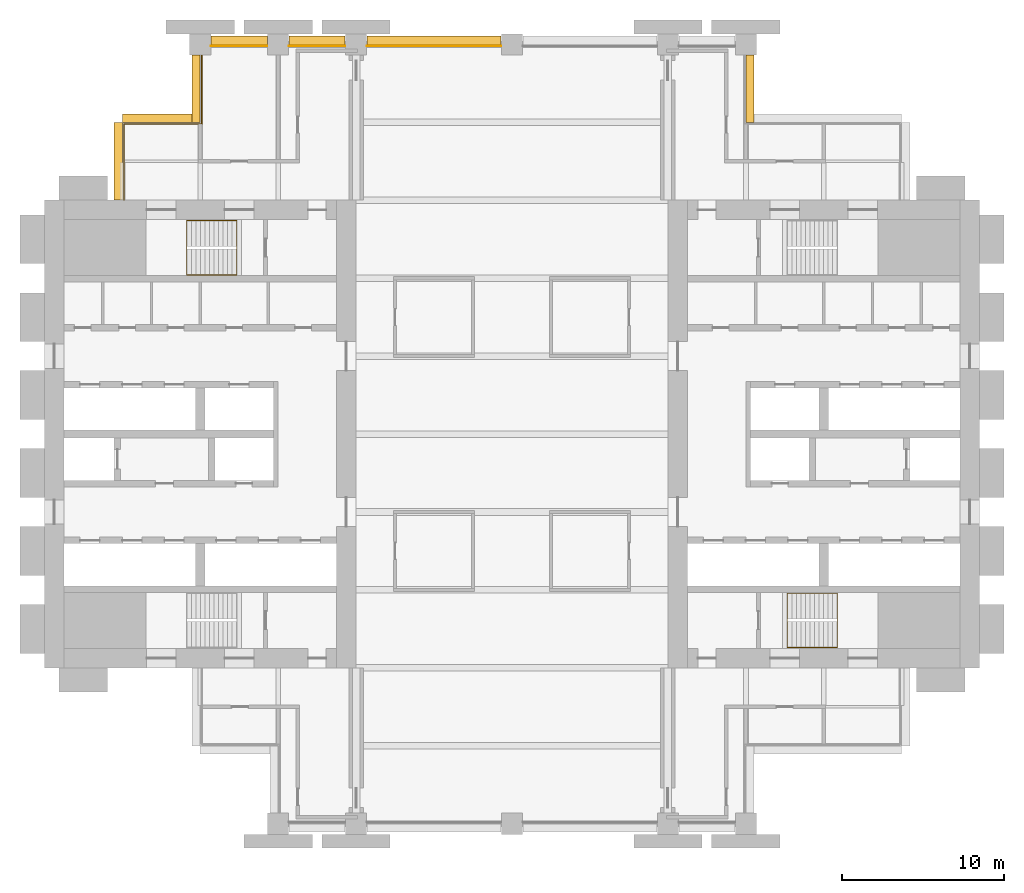
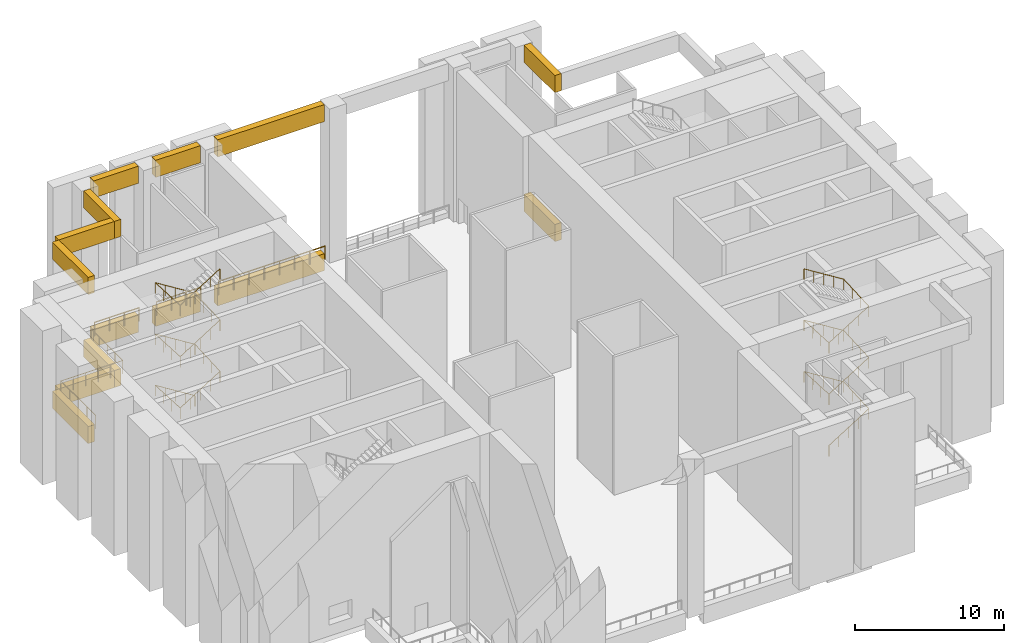
# One storey, part 9 of 10: 14 coverings, 6 railings.
"""IFC4 building model written with IfcOpenShell, lengths in metres."""

from ifc_helpers import new_model, si_unit, direction, frame, origin, origin_2d, place, context, subcontext, project, spatial, polyline, circle, outline, extrude, material, type_object, element, save


model = new_model("IFC4")

# Units and contexts
model_context = context("Model", 3, precision=1e-05, world=origin(), true_north=direction((0.0, 1.0)))
body_context = subcontext(model_context, "Body", "Model", "MODEL_VIEW")
ifc_project = project(units=[si_unit("LENGTHUNIT", "METRE"), si_unit("AREAUNIT", "SQUARE_METRE"), si_unit("VOLUMEUNIT", "CUBIC_METRE"), si_unit("PLANEANGLEUNIT", "RADIAN"), si_unit("MASSUNIT", "GRAM", prefix="KILO")], contexts=[model_context])

# Site, building, storey
site_placement = place(None, origin())
site = spatial("IfcSite", under=ifc_project, at=site_placement, CompositionType="ELEMENT")
building_placement = place(site_placement, origin())
building = spatial("IfcBuilding", under=site, at=building_placement, Name="Baori Bourse Tower", CompositionType="ELEMENT")
storey_placement = place(building_placement, frame((0.0, 0.0, 91.5)))
storey = spatial("IfcBuildingStorey", under=building, at=storey_placement, Name="L20", CompositionType="ELEMENT", Elevation=91.5)

# Railings
ifc_material_1 = material(Name="Powder-coated steel balustrade", Category="steel")
railing_type_1 = type_object("IfcRailingType", Name="Core stair handrail", PredefinedType="HANDRAIL", material=ifc_material_1)
railing_1_placement = place(storey_placement, frame((11.85009765625, 37.14990234375, 0.175048828125)))
element("IfcRailing", 1, at=railing_1_placement, inside=storey, type_object=railing_type_1, Name="L20 ST2 stair handrail 1", PredefinedType="HANDRAIL", context=body_context, shape_type="SweptSolid", body=[
    extrude(circle(Radius=0.02392578125, at=origin_2d()), frame((0.0, 0.0, 0.8759765625), z_axis=(-0.847998304005, 0.0, 0.529998940003), x_axis=(0.0, -1.0, 0.0)), (0.0, 0.0, 1.0), 3.632080078125),
    extrude(circle(Radius=0.02392578125, at=origin_2d()), frame((-3.080078125, 0.0, 2.80078125), z_axis=(0.0, -0.998641252765, 0.052111882296), x_axis=(1.0, 0.0, 0.0)), (0.0, 0.0, 1.0), 3.3544921875),
    extrude(circle(Radius=0.02392578125, at=origin_2d()), frame((-3.080078125, -3.349853515625, 2.9755859375), z_axis=(0.847998304005, 0.0, 0.529998940003), x_axis=(0.0, 1.0, 0.0)), (0.0, 0.0, 1.0), 3.632080078125),
    extrude(circle(Radius=0.02392578125, at=origin_2d()), frame((0.0, -3.349853515625, 4.90087890625), z_axis=(0.0, 0.99863746249, 0.052184466191), x_axis=(-1.0, 0.0, 0.0)), (0.0, 0.0, 1.0), 3.3544921875),
    extrude(circle(Radius=0.02392578125, at=origin_2d()), frame((0.0, 0.0, 5.07568359375), z_axis=(-0.847998304005, 0.0, 0.529998940003), x_axis=(0.0, -1.0, 0.0)), (0.0, 0.0, 1.0), 3.632080078125),
    extrude(circle(Radius=0.02392578125, at=origin_2d()), frame((-3.080078125, 0.0, 7.0009765625), z_axis=(0.0, -0.99863746249, 0.052184466191), x_axis=(1.0, 0.0, 0.0)), (0.0, 0.0, 1.0), 3.3544921875),
    extrude(circle(Radius=0.02392578125, at=origin_2d()), frame((-3.080078125, -3.349853515625, 7.17578125), z_axis=(0.848028513186, 0.0, 0.529950602248), x_axis=(0.0, 1.0, 0.0)), (0.0, 0.0, 1.0), 3.632080078125),
    extrude(circle(Radius=0.02392578125, at=origin_2d()), frame((0.0, -3.349853515625, 9.1005859375), z_axis=(0.0, 0.99863746249, 0.052184466191), x_axis=(-1.0, 0.0, 0.0)), (0.0, 0.0, 1.0), 3.3544921875),
    extrude(circle(Radius=0.02392578125, at=origin_2d()), frame((0.0, 0.0, 9.27587890625), z_axis=(-0.847998304005, 0.0, 0.529998940003), x_axis=(0.0, -1.0, 0.0)), (0.0, 0.0, 1.0), 3.632080078125),
    extrude(circle(Radius=0.02392578125, at=origin_2d()), frame((-3.080078125, 0.0, 11.20068359375), z_axis=(0.0, -0.99863746249, 0.052184466191), x_axis=(1.0, 0.0, 0.0)), (0.0, 0.0, 1.0), 3.3544921875),
    extrude(circle(Radius=0.02392578125, at=origin_2d()), frame((-3.080078125, -3.349853515625, 11.3759765625), z_axis=(0.847998304005, 0.0, 0.529998940003), x_axis=(0.0, 1.0, 0.0)), (0.0, 0.0, 1.0), 3.632080078125),
    extrude(circle(Radius=0.02099609375, at=origin_2d()), origin(), (0.0, 0.0, 1.0), 0.851806640625),
    extrude(circle(Radius=0.02099609375, at=origin_2d()), frame((-0.77001953125, 0.0, 0.481201171875)), (0.0, 0.0, 1.0), 0.851806640625),
    extrude(circle(Radius=0.02099609375, at=origin_2d()), frame((-1.5400390625, 0.0, 0.96240234375)), (0.0, 0.0, 1.0), 0.851806640625),
    extrude(circle(Radius=0.02099609375, at=origin_2d()), frame((-2.31005859375, 0.0, 1.44384765625)), (0.0, 0.0, 1.0), 0.851806640625),
    extrude(circle(Radius=0.02099609375, at=origin_2d()), frame((-3.080078125, 0.0, 1.925048828125)), (0.0, 0.0, 1.0), 0.851806640625),
    extrude(circle(Radius=0.02099609375, at=origin_2d()), frame((-3.080078125, -1.11669921875, 1.9833984375)), (0.0, 0.0, 1.0), 0.851806640625),
    extrude(circle(Radius=0.02099609375, at=origin_2d()), frame((-3.080078125, -2.233154296875, 2.04150390625)), (0.0, 0.0, 1.0), 0.851806640625),
    extrude(circle(Radius=0.02099609375, at=origin_2d()), frame((-3.080078125, -3.349853515625, 2.099853515625)), (0.0, 0.0, 1.0), 0.851806640625),
    extrude(circle(Radius=0.02099609375, at=origin_2d()), frame((-2.31005859375, -3.349853515625, 2.5810546875)), (0.0, 0.0, 1.0), 0.851806640625),
    extrude(circle(Radius=0.02099609375, at=origin_2d()), frame((-1.5400390625, -3.349853515625, 3.0625)), (0.0, 0.0, 1.0), 0.851806640625),
    extrude(circle(Radius=0.02099609375, at=origin_2d()), frame((-0.77001953125, -3.349853515625, 3.543701171875)), (0.0, 0.0, 1.0), 0.851806640625),
    extrude(circle(Radius=0.02099609375, at=origin_2d()), frame((0.0, -3.349853515625, 4.02490234375)), (0.0, 0.0, 1.0), 0.851806640625),
    extrude(circle(Radius=0.02099609375, at=origin_2d()), frame((0.0, -2.233154296875, 4.083251953125)), (0.0, 0.0, 1.0), 0.851806640625),
    extrude(circle(Radius=0.02099609375, at=origin_2d()), frame((0.0, -1.11669921875, 4.1416015625)), (0.0, 0.0, 1.0), 0.851806640625),
    extrude(circle(Radius=0.02099609375, at=origin_2d()), frame((0.0, 0.0, 4.199951171875)), (0.0, 0.0, 1.0), 0.851806640625),
    extrude(circle(Radius=0.02099609375, at=origin_2d()), frame((-0.77001953125, 0.0, 4.68115234375)), (0.0, 0.0, 1.0), 0.851806640625),
    extrude(circle(Radius=0.02099609375, at=origin_2d()), frame((-1.5400390625, 0.0, 5.16259765625)), (0.0, 0.0, 1.0), 0.851806640625),
    extrude(circle(Radius=0.02099609375, at=origin_2d()), frame((-2.31005859375, 0.0, 5.643798828125)), (0.0, 0.0, 1.0), 0.851806640625),
    extrude(circle(Radius=0.02099609375, at=origin_2d()), frame((-3.080078125, 0.0, 6.125)), (0.0, 0.0, 1.0), 0.851806640625),
    extrude(circle(Radius=0.02099609375, at=origin_2d()), frame((-3.080078125, -1.11669921875, 6.183349609375)), (0.0, 0.0, 1.0), 0.851806640625),
    extrude(circle(Radius=0.02099609375, at=origin_2d()), frame((-3.080078125, -2.233154296875, 6.24169921875)), (0.0, 0.0, 1.0), 0.851806640625),
    extrude(circle(Radius=0.02099609375, at=origin_2d()), frame((-3.080078125, -3.349853515625, 6.300048828125)), (0.0, 0.0, 1.0), 0.851806640625),
    extrude(circle(Radius=0.02099609375, at=origin_2d()), frame((-2.31005859375, -3.349853515625, 6.78125)), (0.0, 0.0, 1.0), 0.851806640625),
    extrude(circle(Radius=0.02099609375, at=origin_2d()), frame((-1.5400390625, -3.349853515625, 7.262451171875)), (0.0, 0.0, 1.0), 0.851806640625),
    extrude(circle(Radius=0.02099609375, at=origin_2d()), frame((-0.77001953125, -3.349853515625, 7.74365234375)), (0.0, 0.0, 1.0), 0.851806640625),
    extrude(circle(Radius=0.02099609375, at=origin_2d()), frame((0.0, -3.349853515625, 8.224853515625)), (0.0, 0.0, 1.0), 0.851806640625),
    extrude(circle(Radius=0.02099609375, at=origin_2d()), frame((0.0, -2.233154296875, 8.283203125)), (0.0, 0.0, 1.0), 0.851806640625),
    extrude(circle(Radius=0.02099609375, at=origin_2d()), frame((0.0, -1.11669921875, 8.341552734375)), (0.0, 0.0, 1.0), 0.851806640625),
    extrude(circle(Radius=0.02099609375, at=origin_2d()), frame((0.0, 0.0, 8.39990234375)), (0.0, 0.0, 1.0), 0.851806640625),
    extrude(circle(Radius=0.02099609375, at=origin_2d()), frame((-0.77001953125, 0.0, 8.881103515625)), (0.0, 0.0, 1.0), 0.851806640625),
    extrude(circle(Radius=0.02099609375, at=origin_2d()), frame((-1.5400390625, 0.0, 9.3623046875)), (0.0, 0.0, 1.0), 0.851806640625),
    extrude(circle(Radius=0.02099609375, at=origin_2d()), frame((-2.31005859375, 0.0, 9.84375)), (0.0, 0.0, 1.0), 0.851806640625),
    extrude(circle(Radius=0.02099609375, at=origin_2d()), frame((-3.080078125, 0.0, 10.324951171875)), (0.0, 0.0, 1.0), 0.851806640625),
    extrude(circle(Radius=0.02099609375, at=origin_2d()), frame((-3.080078125, -1.11669921875, 10.38330078125)), (0.0, 0.0, 1.0), 0.851806640625),
    extrude(circle(Radius=0.02099609375, at=origin_2d()), frame((-3.080078125, -2.233154296875, 10.441650390625)), (0.0, 0.0, 1.0), 0.851806640625),
    extrude(circle(Radius=0.02099609375, at=origin_2d()), frame((-3.080078125, -3.349853515625, 10.5)), (0.0, 0.0, 1.0), 0.851806640625),
    extrude(circle(Radius=0.02099609375, at=origin_2d()), frame((-2.31005859375, -3.349853515625, 10.981201171875)), (0.0, 0.0, 1.0), 0.851806640625),
    extrude(circle(Radius=0.02099609375, at=origin_2d()), frame((-1.5400390625, -3.349853515625, 11.46240234375)), (0.0, 0.0, 1.0), 0.851806640625),
    extrude(circle(Radius=0.02099609375, at=origin_2d()), frame((-0.77001953125, -3.349853515625, 11.94384765625)), (0.0, 0.0, 1.0), 0.851806640625),
    extrude(circle(Radius=0.02099609375, at=origin_2d()), frame((0.0, -3.349853515625, 12.425048828125)), (0.0, 0.0, 1.0), 0.851806640625),
])
railing_2_placement = place(storey_placement, frame((45.75, 10.85009765625, 0.175048828125)))
element("IfcRailing", 2, at=railing_2_placement, inside=storey, type_object=railing_type_1, Name="L20 ST3 stair handrail 1", PredefinedType="HANDRAIL", context=body_context, shape_type="SweptSolid", body=[
    extrude(circle(Radius=0.02392578125, at=origin_2d()), frame((0.0, 0.0, 0.8759765625), z_axis=(0.847998304005, 0.0, 0.529998940003), x_axis=(0.0, 1.0, 0.0)), (0.0, 0.0, 1.0), 3.632080078125),
    extrude(circle(Radius=0.02392578125, at=origin_2d()), frame((3.080078125, 0.0, 2.80078125), z_axis=(0.0, 0.998641252765, 0.052111882296), x_axis=(-1.0, 0.0, 0.0)), (0.0, 0.0, 1.0), 3.3544921875),
    extrude(circle(Radius=0.02392578125, at=origin_2d()), frame((3.080078125, 3.349853515625, 2.9755859375), z_axis=(-0.847998304005, 0.0, 0.529998940003), x_axis=(0.0, -1.0, 0.0)), (0.0, 0.0, 1.0), 3.632080078125),
    extrude(circle(Radius=0.02392578125, at=origin_2d()), frame((0.0, 3.349853515625, 4.90087890625), z_axis=(0.0, -0.99863746249, 0.052184466191), x_axis=(1.0, 0.0, 0.0)), (0.0, 0.0, 1.0), 3.3544921875),
    extrude(circle(Radius=0.02392578125, at=origin_2d()), frame((0.0, 0.0, 5.07568359375), z_axis=(0.847998304005, 0.0, 0.529998940003), x_axis=(0.0, 1.0, 0.0)), (0.0, 0.0, 1.0), 3.632080078125),
    extrude(circle(Radius=0.02392578125, at=origin_2d()), frame((3.080078125, 0.0, 7.0009765625), z_axis=(0.0, 0.99863746249, 0.052184466191), x_axis=(-1.0, 0.0, 0.0)), (0.0, 0.0, 1.0), 3.3544921875),
    extrude(circle(Radius=0.02392578125, at=origin_2d()), frame((3.080078125, 3.349853515625, 7.17578125), z_axis=(-0.848028513186, 0.0, 0.529950602248), x_axis=(0.0, -1.0, 0.0)), (0.0, 0.0, 1.0), 3.632080078125),
    extrude(circle(Radius=0.02392578125, at=origin_2d()), frame((0.0, 3.349853515625, 9.1005859375), z_axis=(0.0, -0.99863746249, 0.052184466191), x_axis=(1.0, 0.0, 0.0)), (0.0, 0.0, 1.0), 3.3544921875),
    extrude(circle(Radius=0.02392578125, at=origin_2d()), frame((0.0, 0.0, 9.27587890625), z_axis=(0.847998304005, 0.0, 0.529998940003), x_axis=(0.0, 1.0, 0.0)), (0.0, 0.0, 1.0), 3.632080078125),
    extrude(circle(Radius=0.02392578125, at=origin_2d()), frame((3.080078125, 0.0, 11.20068359375), z_axis=(0.0, 0.99863746249, 0.052184466191), x_axis=(-1.0, 0.0, 0.0)), (0.0, 0.0, 1.0), 3.3544921875),
    extrude(circle(Radius=0.02392578125, at=origin_2d()), frame((3.080078125, 3.349853515625, 11.3759765625), z_axis=(-0.847998304005, 0.0, 0.529998940003), x_axis=(0.0, -1.0, 0.0)), (0.0, 0.0, 1.0), 3.632080078125),
    extrude(circle(Radius=0.02099609375, at=origin_2d()), origin(), (0.0, 0.0, 1.0), 0.851806640625),
    extrude(circle(Radius=0.02099609375, at=origin_2d()), frame((0.77001953125, 0.0, 0.481201171875)), (0.0, 0.0, 1.0), 0.851806640625),
    extrude(circle(Radius=0.02099609375, at=origin_2d()), frame((1.5400390625, 0.0, 0.96240234375)), (0.0, 0.0, 1.0), 0.851806640625),
    extrude(circle(Radius=0.02099609375, at=origin_2d()), frame((2.31005859375, 0.0, 1.44384765625)), (0.0, 0.0, 1.0), 0.851806640625),
    extrude(circle(Radius=0.02099609375, at=origin_2d()), frame((3.080078125, 0.0, 1.925048828125)), (0.0, 0.0, 1.0), 0.851806640625),
    extrude(circle(Radius=0.02099609375, at=origin_2d()), frame((3.080078125, 1.11669921875, 1.9833984375)), (0.0, 0.0, 1.0), 0.851806640625),
    extrude(circle(Radius=0.02099609375, at=origin_2d()), frame((3.080078125, 2.233154296875, 2.04150390625)), (0.0, 0.0, 1.0), 0.851806640625),
    extrude(circle(Radius=0.02099609375, at=origin_2d()), frame((3.080078125, 3.349853515625, 2.099853515625)), (0.0, 0.0, 1.0), 0.851806640625),
    extrude(circle(Radius=0.02099609375, at=origin_2d()), frame((2.31005859375, 3.349853515625, 2.5810546875)), (0.0, 0.0, 1.0), 0.851806640625),
    extrude(circle(Radius=0.02099609375, at=origin_2d()), frame((1.5400390625, 3.349853515625, 3.0625)), (0.0, 0.0, 1.0), 0.851806640625),
    extrude(circle(Radius=0.02099609375, at=origin_2d()), frame((0.77001953125, 3.349853515625, 3.543701171875)), (0.0, 0.0, 1.0), 0.851806640625),
    extrude(circle(Radius=0.02099609375, at=origin_2d()), frame((0.0, 3.349853515625, 4.02490234375)), (0.0, 0.0, 1.0), 0.851806640625),
    extrude(circle(Radius=0.02099609375, at=origin_2d()), frame((0.0, 2.233154296875, 4.083251953125)), (0.0, 0.0, 1.0), 0.851806640625),
    extrude(circle(Radius=0.02099609375, at=origin_2d()), frame((0.0, 1.11669921875, 4.1416015625)), (0.0, 0.0, 1.0), 0.851806640625),
    extrude(circle(Radius=0.02099609375, at=origin_2d()), frame((0.0, 0.0, 4.199951171875)), (0.0, 0.0, 1.0), 0.851806640625),
    extrude(circle(Radius=0.02099609375, at=origin_2d()), frame((0.77001953125, 0.0, 4.68115234375)), (0.0, 0.0, 1.0), 0.851806640625),
    extrude(circle(Radius=0.02099609375, at=origin_2d()), frame((1.5400390625, 0.0, 5.16259765625)), (0.0, 0.0, 1.0), 0.851806640625),
    extrude(circle(Radius=0.02099609375, at=origin_2d()), frame((2.31005859375, 0.0, 5.643798828125)), (0.0, 0.0, 1.0), 0.851806640625),
    extrude(circle(Radius=0.02099609375, at=origin_2d()), frame((3.080078125, 0.0, 6.125)), (0.0, 0.0, 1.0), 0.851806640625),
    extrude(circle(Radius=0.02099609375, at=origin_2d()), frame((3.080078125, 1.11669921875, 6.183349609375)), (0.0, 0.0, 1.0), 0.851806640625),
    extrude(circle(Radius=0.02099609375, at=origin_2d()), frame((3.080078125, 2.233154296875, 6.24169921875)), (0.0, 0.0, 1.0), 0.851806640625),
    extrude(circle(Radius=0.02099609375, at=origin_2d()), frame((3.080078125, 3.349853515625, 6.300048828125)), (0.0, 0.0, 1.0), 0.851806640625),
    extrude(circle(Radius=0.02099609375, at=origin_2d()), frame((2.31005859375, 3.349853515625, 6.78125)), (0.0, 0.0, 1.0), 0.851806640625),
    extrude(circle(Radius=0.02099609375, at=origin_2d()), frame((1.5400390625, 3.349853515625, 7.262451171875)), (0.0, 0.0, 1.0), 0.851806640625),
    extrude(circle(Radius=0.02099609375, at=origin_2d()), frame((0.77001953125, 3.349853515625, 7.74365234375)), (0.0, 0.0, 1.0), 0.851806640625),
    extrude(circle(Radius=0.02099609375, at=origin_2d()), frame((0.0, 3.349853515625, 8.224853515625)), (0.0, 0.0, 1.0), 0.851806640625),
    extrude(circle(Radius=0.02099609375, at=origin_2d()), frame((0.0, 2.233154296875, 8.283203125)), (0.0, 0.0, 1.0), 0.851806640625),
    extrude(circle(Radius=0.02099609375, at=origin_2d()), frame((0.0, 1.11669921875, 8.341552734375)), (0.0, 0.0, 1.0), 0.851806640625),
    extrude(circle(Radius=0.02099609375, at=origin_2d()), frame((0.0, 0.0, 8.39990234375)), (0.0, 0.0, 1.0), 0.851806640625),
    extrude(circle(Radius=0.02099609375, at=origin_2d()), frame((0.77001953125, 0.0, 8.881103515625)), (0.0, 0.0, 1.0), 0.851806640625),
    extrude(circle(Radius=0.02099609375, at=origin_2d()), frame((1.5400390625, 0.0, 9.3623046875)), (0.0, 0.0, 1.0), 0.851806640625),
    extrude(circle(Radius=0.02099609375, at=origin_2d()), frame((2.31005859375, 0.0, 9.84375)), (0.0, 0.0, 1.0), 0.851806640625),
    extrude(circle(Radius=0.02099609375, at=origin_2d()), frame((3.080078125, 0.0, 10.324951171875)), (0.0, 0.0, 1.0), 0.851806640625),
    extrude(circle(Radius=0.02099609375, at=origin_2d()), frame((3.080078125, 1.11669921875, 10.38330078125)), (0.0, 0.0, 1.0), 0.851806640625),
    extrude(circle(Radius=0.02099609375, at=origin_2d()), frame((3.080078125, 2.233154296875, 10.441650390625)), (0.0, 0.0, 1.0), 0.851806640625),
    extrude(circle(Radius=0.02099609375, at=origin_2d()), frame((3.080078125, 3.349853515625, 10.5)), (0.0, 0.0, 1.0), 0.851806640625),
    extrude(circle(Radius=0.02099609375, at=origin_2d()), frame((2.31005859375, 3.349853515625, 10.981201171875)), (0.0, 0.0, 1.0), 0.851806640625),
    extrude(circle(Radius=0.02099609375, at=origin_2d()), frame((1.5400390625, 3.349853515625, 11.46240234375)), (0.0, 0.0, 1.0), 0.851806640625),
    extrude(circle(Radius=0.02099609375, at=origin_2d()), frame((0.77001953125, 3.349853515625, 11.94384765625)), (0.0, 0.0, 1.0), 0.851806640625),
    extrude(circle(Radius=0.02099609375, at=origin_2d()), frame((0.0, 3.349853515625, 12.425048828125)), (0.0, 0.0, 1.0), 0.851806640625),
])

# Coverings
ifc_material_2 = material(Name="Pale anodised aluminium", Category="aluminium")
covering_type = type_object("IfcCoveringType", Name="ED2 Portal fascia band", PredefinedType="CLADDING", material=ifc_material_2)
covering_1_placement = place(storey_placement, frame((0.0, 0.0, -1.0)))
element("IfcCovering", 3, at=covering_1_placement, inside=storey, type_object=covering_type, Name="Portal fascia band deck L20 5", PredefinedType="CLADDING", context=body_context, shape_type="SweptSolid", body=[
    extrude(outline(polyline([(43.199951171875, 47.330078125), (43.199951171875, 43.199951171875), (43.699951171875, 43.199951171875), (43.699951171875, 47.330078125), (43.199951171875, 47.330078125)])), origin(), (0.0, 0.0, 1.0), 1.39990234375),
])
covering_2_placement = place(storey_placement, frame((0.0, 0.0, 11.199951171875)))
element("IfcCovering", 4, at=covering_2_placement, inside=storey, type_object=covering_type, Name="Portal fascia band head L20 6", PredefinedType="CLADDING", context=body_context, shape_type="SweptSolid", body=[
    extrude(outline(polyline([(43.199951171875, 47.330078125), (43.199951171875, 43.199951171875), (43.699951171875, 43.199951171875), (43.699951171875, 47.330078125), (43.199951171875, 47.330078125)])), origin(), (0.0, 0.0, 1.0), 1.400146484375),
])
covering_3_placement = place(storey_placement, frame((0.0, 0.0, -1.0)))
element("IfcCovering", 5, at=covering_3_placement, inside=storey, type_object=covering_type, Name="Portal fascia band deck L20 11", PredefinedType="CLADDING", context=body_context, shape_type="SweptSolid", body=[
    extrude(outline(polyline([(19.8701171875, 48.0), (28.1298828125, 48.0), (28.1298828125, 48.5), (19.8701171875, 48.5), (19.8701171875, 48.0)])), origin(), (0.0, 0.0, 1.0), 1.39990234375),
])
covering_4_placement = place(storey_placement, frame((0.0, 0.0, 11.199951171875)))
element("IfcCovering", 6, at=covering_4_placement, inside=storey, type_object=covering_type, Name="Portal fascia band head L20 12", PredefinedType="CLADDING", context=body_context, shape_type="SweptSolid", body=[
    extrude(outline(polyline([(19.8701171875, 48.0), (28.1298828125, 48.0), (28.1298828125, 48.5), (19.8701171875, 48.5), (19.8701171875, 48.0)])), origin(), (0.0, 0.0, 1.0), 1.400146484375),
])
covering_5_placement = place(storey_placement, frame((0.0, 0.0, -1.0)))
element("IfcCovering", 7, at=covering_5_placement, inside=storey, type_object=covering_type, Name="Portal fascia band deck L20 13", PredefinedType="CLADDING", context=body_context, shape_type="SweptSolid", body=[
    extrude(outline(polyline([(15.070068359375, 48.0), (18.530029296875, 48.0), (18.530029296875, 48.5), (15.070068359375, 48.5), (15.070068359375, 48.0)])), origin(), (0.0, 0.0, 1.0), 1.39990234375),
])
covering_6_placement = place(storey_placement, frame((0.0, 0.0, 11.199951171875)))
element("IfcCovering", 8, at=covering_6_placement, inside=storey, type_object=covering_type, Name="Portal fascia band head L20 14", PredefinedType="CLADDING", context=body_context, shape_type="SweptSolid", body=[
    extrude(outline(polyline([(15.070068359375, 48.0), (18.530029296875, 48.0), (18.530029296875, 48.5), (15.070068359375, 48.5), (15.070068359375, 48.0)])), origin(), (0.0, 0.0, 1.0), 1.400146484375),
])
covering_7_placement = place(storey_placement, frame((0.0, 0.0, -1.0)))
element("IfcCovering", 9, at=covering_7_placement, inside=storey, type_object=covering_type, Name="Portal fascia band deck L20 15", PredefinedType="CLADDING", context=body_context, shape_type="SweptSolid", body=[
    extrude(outline(polyline([(10.27001953125, 48.0), (13.72998046875, 48.0), (13.72998046875, 48.5), (10.27001953125, 48.5), (10.27001953125, 48.0)])), origin(), (0.0, 0.0, 1.0), 1.39990234375),
])
covering_8_placement = place(storey_placement, frame((0.0, 0.0, 11.199951171875)))
element("IfcCovering", 10, at=covering_8_placement, inside=storey, type_object=covering_type, Name="Portal fascia band head L20 16", PredefinedType="CLADDING", context=body_context, shape_type="SweptSolid", body=[
    extrude(outline(polyline([(10.27001953125, 48.0), (13.72998046875, 48.0), (13.72998046875, 48.5), (10.27001953125, 48.5), (10.27001953125, 48.0)])), origin(), (0.0, 0.0, 1.0), 1.400146484375),
])
covering_9_placement = place(storey_placement, frame((0.0, 0.0, -1.0)))
element("IfcCovering", 11, at=covering_9_placement, inside=storey, type_object=covering_type, Name="Portal fascia band deck L20 17", PredefinedType="CLADDING", context=body_context, shape_type="SweptSolid", body=[
    extrude(outline(polyline([(9.60009765625, 43.199951171875), (9.60009765625, 47.330078125), (9.10009765625, 47.330078125), (9.10009765625, 43.199951171875), (9.60009765625, 43.199951171875)])), origin(), (0.0, 0.0, 1.0), 1.39990234375),
])
covering_10_placement = place(storey_placement, frame((0.0, 0.0, 11.199951171875)))
element("IfcCovering", 12, at=covering_10_placement, inside=storey, type_object=covering_type, Name="Portal fascia band head L20 18", PredefinedType="CLADDING", context=body_context, shape_type="SweptSolid", body=[
    extrude(outline(polyline([(9.60009765625, 43.199951171875), (9.60009765625, 47.330078125), (9.10009765625, 47.330078125), (9.10009765625, 43.199951171875), (9.60009765625, 43.199951171875)])), origin(), (0.0, 0.0, 1.0), 1.400146484375),
])
covering_11_placement = place(storey_placement, frame((0.0, 0.0, -1.0)))
element("IfcCovering", 13, at=covering_11_placement, inside=storey, type_object=covering_type, Name="Portal fascia band deck L20 19", PredefinedType="CLADDING", context=body_context, shape_type="SweptSolid", body=[
    extrude(outline(polyline([(4.800048828125, 43.199951171875), (9.60009765625, 43.199951171875), (9.60009765625, 43.699951171875), (4.800048828125, 43.699951171875), (4.800048828125, 43.199951171875)])), origin(), (0.0, 0.0, 1.0), 1.39990234375),
])
covering_12_placement = place(storey_placement, frame((0.0, 0.0, 11.199951171875)))
element("IfcCovering", 14, at=covering_12_placement, inside=storey, type_object=covering_type, Name="Portal fascia band head L20 20", PredefinedType="CLADDING", context=body_context, shape_type="SweptSolid", body=[
    extrude(outline(polyline([(4.800048828125, 43.199951171875), (9.60009765625, 43.199951171875), (9.60009765625, 43.699951171875), (4.800048828125, 43.699951171875), (4.800048828125, 43.199951171875)])), origin(), (0.0, 0.0, 1.0), 1.400146484375),
])
covering_13_placement = place(storey_placement, frame((0.0, 0.0, -1.0)))
element("IfcCovering", 15, at=covering_13_placement, inside=storey, type_object=covering_type, Name="Portal fascia band deck L20 21", PredefinedType="CLADDING", context=body_context, shape_type="SweptSolid", body=[
    extrude(outline(polyline([(4.800048828125, 38.39990234375), (4.800048828125, 43.199951171875), (4.300048828125, 43.199951171875), (4.300048828125, 38.39990234375), (4.800048828125, 38.39990234375)])), origin(), (0.0, 0.0, 1.0), 1.39990234375),
])
covering_14_placement = place(storey_placement, frame((0.0, 0.0, 11.199951171875)))
element("IfcCovering", 16, at=covering_14_placement, inside=storey, type_object=covering_type, Name="Portal fascia band head L20 22", PredefinedType="CLADDING", context=body_context, shape_type="SweptSolid", body=[
    extrude(outline(polyline([(4.800048828125, 38.39990234375), (4.800048828125, 43.199951171875), (4.300048828125, 43.199951171875), (4.300048828125, 38.39990234375), (4.800048828125, 38.39990234375)])), origin(), (0.0, 0.0, 1.0), 1.400146484375),
])

# Railings
ifc_material_3 = material(Name="Stainless steel", Category="steel")
railing_type_2 = type_object("IfcRailingType", Name="GD1 Guard", PredefinedType="GUARDRAIL", material=ifc_material_3)
railing_3_placement = place(storey_placement, frame((28.1201171875, 47.89990234375, 0.0)))
element("IfcRailing", 17, at=railing_3_placement, inside=storey, type_object=railing_type_2, Name="Guard sky deck L20 4", PredefinedType="GUARDRAIL", context=body_context, shape_type="SweptSolid", body=[
    extrude(circle(Radius=0.02392578125, at=origin_2d()), frame((0.0, 0.0, 1.076171875), z_axis=(-1.0, 0.0, 0.0), x_axis=(0.0, -1.0, 0.0)), (0.0, 0.0, 1.0), 8.240234375),
    extrude(circle(Radius=0.02099609375, at=origin_2d()), origin(), (0.0, 0.0, 1.0), 1.052001953125),
    extrude(circle(Radius=0.02099609375, at=origin_2d()), frame((-1.17724609375, 0.0, 0.0)), (0.0, 0.0, 1.0), 1.052001953125),
    extrude(circle(Radius=0.02099609375, at=origin_2d()), frame((-2.354248046875, 0.0, 0.0)), (0.0, 0.0, 1.0), 1.052001953125),
    extrude(circle(Radius=0.02099609375, at=origin_2d()), frame((-3.531494140625, 0.0, 0.0)), (0.0, 0.0, 1.0), 1.052001953125),
    extrude(circle(Radius=0.02099609375, at=origin_2d()), frame((-4.708740234375, 0.0, 0.0)), (0.0, 0.0, 1.0), 1.052001953125),
    extrude(circle(Radius=0.02099609375, at=origin_2d()), frame((-5.885986328125, 0.0, 0.0)), (0.0, 0.0, 1.0), 1.052001953125),
    extrude(circle(Radius=0.02099609375, at=origin_2d()), frame((-7.06298828125, 0.0, 0.0)), (0.0, 0.0, 1.0), 1.052001953125),
    extrude(circle(Radius=0.02099609375, at=origin_2d()), frame((-8.240234375, 0.0, 0.0)), (0.0, 0.0, 1.0), 1.052001953125),
])
for number, where, name in (
    (18, (18.52001953125, 47.89990234375, 0.0), "Guard sky deck L20 5"),
    (19, (13.719970703125, 47.89990234375, 0.0), "Guard sky deck L20 6"),
):
    element("IfcRailing", number, at=place(storey_placement, frame(where)), inside=storey, type_object=railing_type_2, Name=name, PredefinedType="GUARDRAIL", context=body_context, shape_type="SweptSolid", body=[
        extrude(circle(Radius=0.02392578125, at=origin_2d()), frame((0.0, 0.0, 1.076171875), z_axis=(-1.0, 0.0, 0.0), x_axis=(0.0, -1.0, 0.0)), (0.0, 0.0, 1.0), 3.43994140625),
        extrude(circle(Radius=0.02099609375, at=origin_2d()), origin(), (0.0, 0.0, 1.0), 1.052001953125),
        extrude(circle(Radius=0.02099609375, at=origin_2d()), frame((-1.146728515625, 0.0, 0.0)), (0.0, 0.0, 1.0), 1.052001953125),
        extrude(circle(Radius=0.02099609375, at=origin_2d()), frame((-2.293212890625, 0.0, 0.0)), (0.0, 0.0, 1.0), 1.052001953125),
        extrude(circle(Radius=0.02099609375, at=origin_2d()), frame((-3.43994140625, 0.0, 0.0)), (0.0, 0.0, 1.0), 1.052001953125),
    ])
railing_4_placement = place(storey_placement, frame((9.699951171875, 47.320068359375, 0.0)))
element("IfcRailing", 20, at=railing_4_placement, inside=storey, type_object=railing_type_2, Name="Guard sky deck L20 7", PredefinedType="GUARDRAIL", context=body_context, shape_type="SweptSolid", body=[
    extrude(circle(Radius=0.02392578125, at=origin_2d()), frame((0.0, 0.0, 1.076171875), z_axis=(0.0, -1.0, 0.0), x_axis=(1.0, 0.0, 0.0)), (0.0, 0.0, 1.0), 4.219970703125),
    extrude(circle(Radius=0.02392578125, at=origin_2d()), frame((0.0, -4.219970703125, 1.076171875), z_axis=(-1.0, 0.0, 0.0), x_axis=(0.0, -1.0, 0.0)), (0.0, 0.0, 1.0), 4.800048828125),
    extrude(circle(Radius=0.02392578125, at=origin_2d()), frame((-4.800048828125, -4.219970703125, 1.076171875), z_axis=(0.0, -1.0, 0.0), x_axis=(1.0, 0.0, 0.0)), (0.0, 0.0, 1.0), 4.670166015625),
    extrude(circle(Radius=0.02099609375, at=origin_2d()), origin(), (0.0, 0.0, 1.0), 1.052001953125),
    extrude(circle(Radius=0.02099609375, at=origin_2d()), frame((0.0, -1.054931640625, 0.0)), (0.0, 0.0, 1.0), 1.052001953125),
    extrude(circle(Radius=0.02099609375, at=origin_2d()), frame((0.0, -2.10986328125, 0.0)), (0.0, 0.0, 1.0), 1.052001953125),
    extrude(circle(Radius=0.02099609375, at=origin_2d()), frame((0.0, -3.1650390625, 0.0)), (0.0, 0.0, 1.0), 1.052001953125),
    extrude(circle(Radius=0.02099609375, at=origin_2d()), frame((0.0, -4.219970703125, 0.0)), (0.0, 0.0, 1.0), 1.052001953125),
    extrude(circle(Radius=0.02099609375, at=origin_2d()), frame((-0.9599609375, -4.219970703125, 0.0)), (0.0, 0.0, 1.0), 1.052001953125),
    extrude(circle(Radius=0.02099609375, at=origin_2d()), frame((-1.919921875, -4.219970703125, 0.0)), (0.0, 0.0, 1.0), 1.052001953125),
    extrude(circle(Radius=0.02099609375, at=origin_2d()), frame((-2.880126953125, -4.219970703125, 0.0)), (0.0, 0.0, 1.0), 1.052001953125),
    extrude(circle(Radius=0.02099609375, at=origin_2d()), frame((-3.840087890625, -4.219970703125, 0.0)), (0.0, 0.0, 1.0), 1.052001953125),
    extrude(circle(Radius=0.02099609375, at=origin_2d()), frame((-4.800048828125, -4.219970703125, 0.0)), (0.0, 0.0, 1.0), 1.052001953125),
    extrude(circle(Radius=0.02099609375, at=origin_2d()), frame((-4.800048828125, -5.387451171875, 0.0)), (0.0, 0.0, 1.0), 1.052001953125),
    extrude(circle(Radius=0.02099609375, at=origin_2d()), frame((-4.800048828125, -6.55517578125, 0.0)), (0.0, 0.0, 1.0), 1.052001953125),
    extrude(circle(Radius=0.02099609375, at=origin_2d()), frame((-4.800048828125, -7.72265625, 0.0)), (0.0, 0.0, 1.0), 1.052001953125),
    extrude(circle(Radius=0.02099609375, at=origin_2d()), frame((-4.800048828125, -8.89013671875, 0.0)), (0.0, 0.0, 1.0), 1.052001953125),
])

save(model, "model.ifc")
